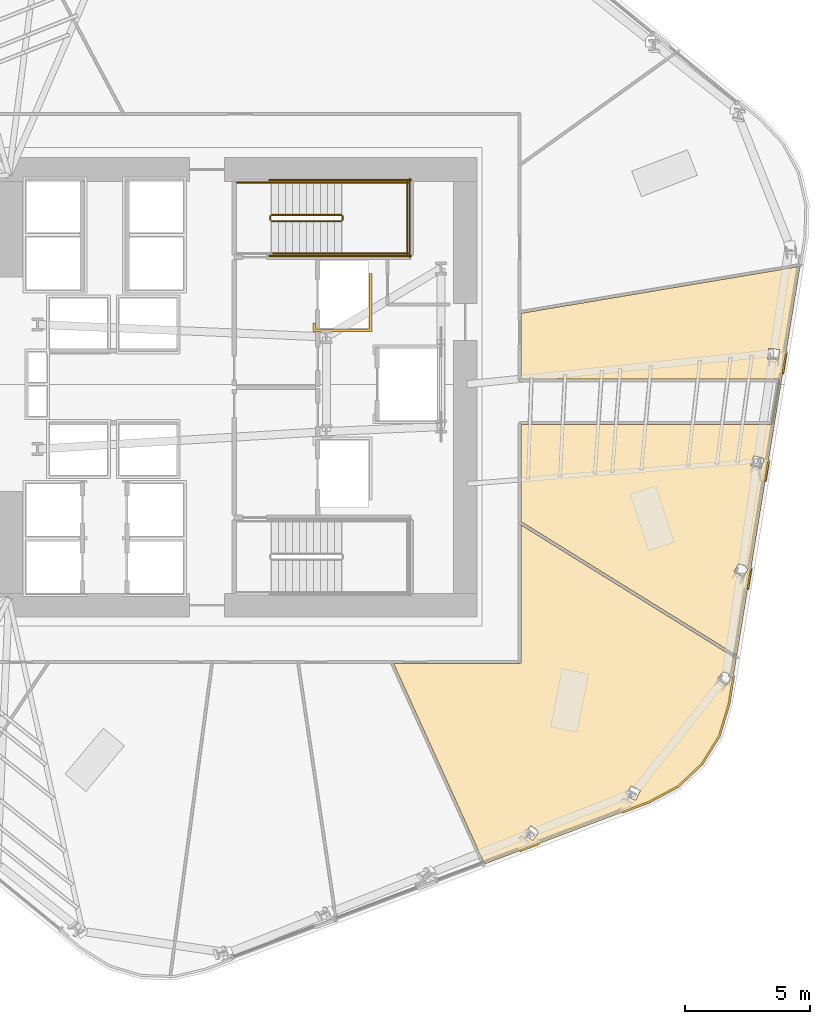
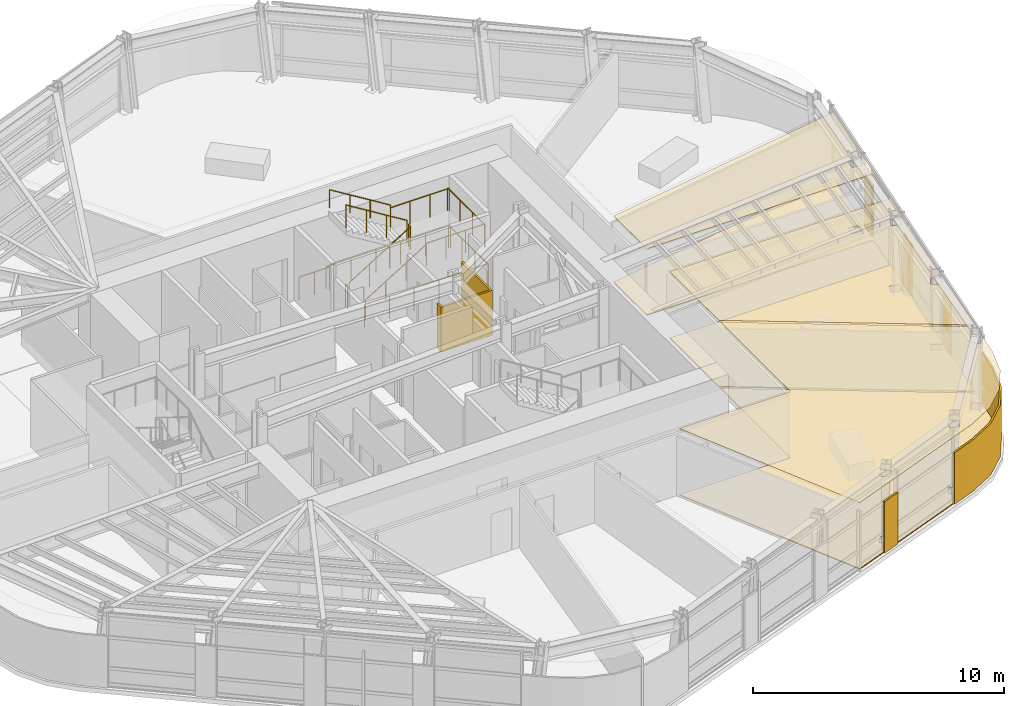
# One storey, part 16 of 18: 13 railings, 10 coverings.
"""IFC4 building model written with IfcOpenShell, lengths in metres."""

from ifc_helpers import new_model, si_unit, direction, frame, origin, origin_2d, place, context, subcontext, project, spatial, polyline, circle, outline, extrude, material, layer, layer_set, type_object, element, save


model = new_model("IFC4")

# Units and contexts
model_context = context("Model", 3, precision=1e-05, world=origin(), true_north=direction((0.0, 1.0)))
body_context = subcontext(model_context, "Body", "Model", "MODEL_VIEW")
ifc_project = project(units=[si_unit("LENGTHUNIT", "METRE"), si_unit("AREAUNIT", "SQUARE_METRE"), si_unit("VOLUMEUNIT", "CUBIC_METRE"), si_unit("PLANEANGLEUNIT", "RADIAN"), si_unit("MASSUNIT", "GRAM", prefix="KILO")], contexts=[model_context])

# Site, building, storey
site_placement = place(None, origin())
site = spatial("IfcSite", under=ifc_project, at=site_placement, CompositionType="ELEMENT")
building_placement = place(site_placement, origin())
building = spatial("IfcBuilding", under=site, at=building_placement, Name="Valkerne Bourse Tower", CompositionType="ELEMENT")
storey_placement = place(building_placement, frame((0.0, 0.0, 112.39990234375)))
storey = spatial("IfcBuildingStorey", under=building, at=storey_placement, Name="L28", CompositionType="ELEMENT", Elevation=112.39990234375)

# Coverings
ifc_material_1 = material(Name="Mineral Fiber Acoustic Ceiling Tile", Category="acoustic")
ifc_layer_1 = layer(ifc_material_1, 0.02490234375)
ifc_layer_set_1 = layer_set([ifc_layer_1], Name="Mineral Fiber Acoustic Ceiling Tile")
covering_type_1 = type_object("IfcCoveringType", Name="COV-CEIL-ACT", PredefinedType="CEILING", material=ifc_layer_set_1)
covering_1_placement = place(storey_placement, frame((0.0, 0.0, 3.22998046875)))
element("IfcCovering", 1, at=covering_1_placement, inside=storey, type_object=covering_type_1, Name="L28 Suspended Ceiling 07", PredefinedType="CEILING", context=body_context, shape_type="SweptSolid", body=[
    extrude(outline(polyline([(64.46728515625, 10.848876953125), (63.2958984375, 10.220947265625), (56.701904296875, 7.7373046875), (53.052978515625, 15.781005859375), (58.100341796875, 15.781005859375), (58.12890625, 15.787353515625), (58.151123046875, 15.803466796875), (58.1689453125, 15.84912109375), (58.1689453125, 21.345947265625), (66.8076171875, 15.983642578125), (66.508544921875, 14.14599609375), (66.12451171875, 12.873779296875), (65.42919921875, 11.752197265625), (64.46728515625, 10.848876953125)]), holes=[polyline([(58.63818359375, 8.683349609375), (58.893310546875, 9.030517578125), (58.558349609375, 9.2783203125), (58.5556640625, 9.276611328125), (58.300537109375, 8.929443359375), (58.635498046875, 8.681640625), (58.63818359375, 8.683349609375)]), polyline([(62.77197265625, 10.30078125), (62.957275390625, 10.689453125), (62.581787109375, 10.869873046875), (62.579345703125, 10.867431640625), (62.39404296875, 10.47900390625), (62.76953125, 10.298583984375), (62.77197265625, 10.30078125)]), polyline([(66.654052734375, 15.220947265625), (66.326416015625, 15.502685546875), (66.055419921875, 15.188232421875), (66.053466796875, 15.185302734375), (66.38134765625, 14.903564453125), (66.65234375, 15.218017578125), (66.654052734375, 15.220947265625)])]), origin(), (0.0, 0.0, 1.0), 0.025146484375),
])
covering_2_placement = place(storey_placement, frame((0.0, 0.0, 3.22998046875)))
element("IfcCovering", 2, at=covering_2_placement, inside=storey, type_object=covering_type_1, Name="L28 Suspended Ceiling 08", PredefinedType="CEILING", context=body_context, shape_type="SweptSolid", body=[
    extrude(outline(polyline([(58.1689453125, 25.381103515625), (68.220703125, 25.3818359375), (68.25732421875, 25.39990234375), (68.277587890625, 25.438232421875), (68.55517578125, 27.14990234375), (68.53662109375, 27.197509765625), (68.5146484375, 27.212890625), (68.486572265625, 27.218994140625), (58.1689453125, 27.218994140625), (58.1689453125, 29.85009765625), (69.369384765625, 31.732421875), (66.827880859375, 16.10986328125), (58.1689453125, 21.48486328125), (58.1689453125, 25.381103515625)]), holes=[polyline([(67.29541015625, 19.611328125), (66.920654296875, 19.826416015625), (66.71337890625, 19.466552734375), (66.71240234375, 19.463623046875), (67.087158203125, 19.24853515625), (67.29443359375, 19.6083984375), (67.29541015625, 19.611328125)]), polyline([(67.924560546875, 24.00341796875), (67.513916015625, 24.137939453125), (67.384033203125, 23.743408203125), (67.3837890625, 23.740234375), (67.79443359375, 23.60595703125), (67.924072265625, 24.00048828125), (67.924560546875, 24.00341796875)]), polyline([(68.54248046875, 28.38720703125), (68.542236328125, 28.39013671875), (68.11279296875, 28.438232421875), (68.066162109375, 28.025634765625), (68.06640625, 28.0224609375), (68.49560546875, 27.974609375), (68.54248046875, 28.38720703125)])]), origin(), (0.0, 0.0, 1.0), 0.025146484375),
])
ifc_material_2 = material(Name="Bronze Anodised Aluminium AA 6063-T6", Category="aluminium")
ifc_layer_2 = layer(ifc_material_2, 0.06005859375)
ifc_layer_set_2 = layer_set([ifc_layer_2], Name="Bronze Anodised Aluminium AA 6063-T6")
covering_type_2 = type_object("IfcCoveringType", Name="COV-CRN-ALUM", PredefinedType="CLADDING", material=ifc_layer_set_2)
covering_3_placement = place(storey_placement, origin())
element("IfcCovering", 3, at=covering_3_placement, inside=storey, type_object=covering_type_2, Name="L28 Wind-Shaped Corner Aluminium Cladding 01", PredefinedType="CLADDING", context=body_context, shape_type="SweptSolid", body=[
    extrude(outline(polyline([(66.1650390625, 12.85546875), (65.46337890625, 11.72412109375), (64.4931640625, 10.81298828125), (63.314208984375, 10.180908203125), (62.231689453125, 9.77294921875), (62.203369140625, 9.847900390625), (63.281005859375, 10.25390625), (64.446044921875, 10.87841796875), (65.40087890625, 11.775146484375), (66.09130859375, 12.888671875), (66.473388671875, 14.154052734375), (66.658447265625, 15.291015625), (66.7373046875, 15.278076171875), (66.551513671875, 14.135986328125), (66.1650390625, 12.85546875)])), origin(), (0.0, 0.0, 1.0), 2.5),
])
covering_4_placement = place(storey_placement, origin())
element("IfcCovering", 4, at=covering_4_placement, inside=storey, type_object=covering_type_2, Name="L28 Wind-Shaped Corner Aluminium Cladding 02", PredefinedType="CLADDING", context=body_context, shape_type="SweptSolid", body=[
    extrude(outline(polyline([(58.1298828125, 8.22802734375), (58.1015625, 8.302978515625), (58.8876953125, 8.59912109375), (58.916015625, 8.524169921875), (58.1298828125, 8.22802734375)])), origin(), (0.0, 0.0, 1.0), 2.5),
])
covering_5_placement = place(storey_placement, origin())
element("IfcCovering", 5, at=covering_5_placement, inside=storey, type_object=covering_type_2, Name="L28 Wind-Shaped Corner Aluminium Cladding 22", PredefinedType="CLADDING", context=body_context, shape_type="SweptSolid", body=[
    extrude(outline(polyline([(68.713623046875, 27.42724609375), (68.634521484375, 27.440185546875), (68.76953125, 28.269287109375), (68.848388671875, 28.25634765625), (68.713623046875, 27.42724609375)])), origin(), (0.0, 0.0, 1.0), 2.5),
])
covering_6_placement = place(storey_placement, origin())
element("IfcCovering", 6, at=covering_6_placement, inside=storey, type_object=covering_type_2, Name="L28 Wind-Shaped Corner Aluminium Cladding 23", PredefinedType="CLADDING", context=body_context, shape_type="SweptSolid", body=[
    extrude(outline(polyline([(68.010009765625, 23.10107421875), (67.930908203125, 23.114013671875), (68.06591796875, 23.943115234375), (68.144775390625, 23.93017578125), (68.010009765625, 23.10107421875)])), origin(), (0.0, 0.0, 1.0), 2.5),
])
covering_7_placement = place(storey_placement, origin())
element("IfcCovering", 7, at=covering_7_placement, inside=storey, type_object=covering_type_2, Name="L28 Wind-Shaped Corner Aluminium Cladding 24", PredefinedType="CLADDING", context=body_context, shape_type="SweptSolid", body=[
    extrude(outline(polyline([(67.30615234375, 18.775146484375), (67.227294921875, 18.7880859375), (67.362060546875, 19.6171875), (67.44091796875, 19.60400390625), (67.30615234375, 18.775146484375)])), origin(), (0.0, 0.0, 1.0), 2.5),
])
ifc_material_3 = material(Name="Galvanised Painted Steel", Category="steel")
ifc_layer_3 = layer(ifc_material_3, 0.044921875)
ifc_layer_set_3 = layer_set([ifc_layer_3], Name="Galvanised Painted Steel")
covering_type_3 = type_object("IfcCoveringType", Name="COV-FLR-RAF", PredefinedType="FLOORING", material=ifc_layer_set_3)
covering_8_placement = place(storey_placement, origin())
element("IfcCovering", 8, at=covering_8_placement, inside=storey, type_object=covering_type_3, Name="L28 Floor Finish 07", PredefinedType="FLOORING", context=body_context, shape_type="SweptSolid", body=[
    extrude(outline(polyline([(64.46728515625, 10.848876953125), (63.2958984375, 10.220947265625), (56.701904296875, 7.7373046875), (53.052978515625, 15.781005859375), (58.100341796875, 15.781005859375), (58.12890625, 15.787353515625), (58.151123046875, 15.803466796875), (58.1689453125, 15.84912109375), (58.1689453125, 21.345947265625), (66.8076171875, 15.983642578125), (66.508544921875, 14.14599609375), (66.12451171875, 12.873779296875), (65.42919921875, 11.752197265625), (64.46728515625, 10.848876953125)]), holes=[polyline([(58.63818359375, 8.683349609375), (58.893310546875, 9.030517578125), (58.558349609375, 9.2783203125), (58.5556640625, 9.276611328125), (58.300537109375, 8.929443359375), (58.635498046875, 8.681640625), (58.63818359375, 8.683349609375)]), polyline([(62.77197265625, 10.30078125), (62.957275390625, 10.689453125), (62.581787109375, 10.869873046875), (62.579345703125, 10.867431640625), (62.39404296875, 10.47900390625), (62.76953125, 10.298583984375), (62.77197265625, 10.30078125)]), polyline([(66.654052734375, 15.220947265625), (66.326416015625, 15.502685546875), (66.055419921875, 15.188232421875), (66.053466796875, 15.185302734375), (66.38134765625, 14.903564453125), (66.65234375, 15.218017578125), (66.654052734375, 15.220947265625)])]), origin(), (0.0, 0.0, 1.0), 0.045166015625),
])
covering_9_placement = place(storey_placement, origin())
element("IfcCovering", 9, at=covering_9_placement, inside=storey, type_object=covering_type_3, Name="L28 Floor Finish 08", PredefinedType="FLOORING", context=body_context, shape_type="SweptSolid", body=[
    extrude(outline(polyline([(58.1689453125, 25.381103515625), (68.220703125, 25.3818359375), (68.25732421875, 25.39990234375), (68.277587890625, 25.438232421875), (68.55517578125, 27.14990234375), (68.53662109375, 27.197509765625), (68.5146484375, 27.212890625), (68.486572265625, 27.218994140625), (58.1689453125, 27.218994140625), (58.1689453125, 29.85009765625), (69.369384765625, 31.732421875), (66.827880859375, 16.10986328125), (58.1689453125, 21.48486328125), (58.1689453125, 25.381103515625)]), holes=[polyline([(67.29541015625, 19.611328125), (66.920654296875, 19.826416015625), (66.71337890625, 19.466552734375), (66.71240234375, 19.463623046875), (67.087158203125, 19.24853515625), (67.29443359375, 19.6083984375), (67.29541015625, 19.611328125)]), polyline([(67.924560546875, 24.00341796875), (67.513916015625, 24.137939453125), (67.384033203125, 23.743408203125), (67.3837890625, 23.740234375), (67.79443359375, 23.60595703125), (67.924072265625, 24.00048828125), (67.924560546875, 24.00341796875)]), polyline([(68.54248046875, 28.38720703125), (68.542236328125, 28.39013671875), (68.11279296875, 28.438232421875), (68.066162109375, 28.025634765625), (68.06640625, 28.0224609375), (68.49560546875, 27.974609375), (68.54248046875, 28.38720703125)])]), origin(), (0.0, 0.0, 1.0), 0.045166015625),
])
ifc_material_4 = material(Name="Gypsum Shaftwall Liner Board", Category="gypsum")
ifc_layer_4 = layer(ifc_material_4, 0.080078125)
ifc_layer_set_4 = layer_set([ifc_layer_4], Name="Gypsum Shaftwall Liner Board")
covering_type_4 = type_object("IfcCoveringType", Name="COV-SHF-CLAD", PredefinedType="CLADDING", material=ifc_layer_set_4)
covering_10_placement = place(storey_placement, origin())
element("IfcCovering", 10, at=covering_10_placement, inside=storey, type_object=covering_type_4, Name="L28 Hoistway & Riser Shaftwall Liner 10", PredefinedType="CLADDING", context=body_context, shape_type="SweptSolid", body=[
    extrude(outline(polyline([(49.820068359375, 29.1201171875), (49.820068359375, 29.468017578125), (49.827880859375, 29.46435546875), (49.869384765625, 29.449462890625), (49.909912109375, 29.439208984375), (49.909912109375, 29.2099609375), (52.090087890625, 29.2099609375), (52.090087890625, 31.449951171875), (52.179931640625, 31.449951171875), (52.179931640625, 29.1201171875), (49.820068359375, 29.1201171875)])), origin(), (0.0, 0.0, 1.0), 2.18017578125),
])

# Railings
railing_type_1 = type_object("IfcRailingType", Name="RLG-ST-GUARD-1120", PredefinedType="GUARDRAIL", material=ifc_material_3)
railing_1_placement = place(storey_placement, frame((48.14990234375, 33.550048828125, 0.1728515625)))
element("IfcRailing", 11, at=railing_1_placement, inside=storey, type_object=railing_type_1, Name="L28 ST-2 stair guard 1", PredefinedType="GUARDRAIL", context=body_context, shape_type="SweptSolid", body=[
    extrude(circle(Radius=0.02392578125, at=origin_2d()), frame((0.0, 0.0, 1.09619140625), z_axis=(0.851089632645, 0.0, 0.525020415988), x_axis=(0.0, 1.0, 0.0)), (0.0, 0.0, 1.0), 3.2900390625),
    extrude(circle(Radius=0.02099609375, at=origin_2d()), origin(), (0.0, 0.0, 1.0), 1.072021484375),
    extrude(circle(Radius=0.02099609375, at=origin_2d()), frame((0.933349609375, 0.0, 0.57568359375)), (0.0, 0.0, 1.0), 1.072021484375),
    extrude(circle(Radius=0.02099609375, at=origin_2d()), frame((1.86669921875, 0.0, 1.151611328125)), (0.0, 0.0, 1.0), 1.072021484375),
    extrude(circle(Radius=0.02099609375, at=origin_2d()), frame((2.800048828125, 0.0, 1.727294921875)), (0.0, 0.0, 1.0), 1.072021484375),
])
railing_2_placement = place(storey_placement, frame((51.0, 33.60009765625, 1.900146484375)))
element("IfcRailing", 12, at=railing_2_placement, inside=storey, type_object=railing_type_1, Name="L28 ST-2 stair guard 2", PredefinedType="GUARDRAIL", context=body_context, shape_type="SweptSolid", body=[
    extrude(circle(Radius=0.02392578125, at=origin_2d()), frame((0.0, 0.0, 1.09619140625), z_axis=(0.0, 1.0, 0.0), x_axis=(-1.0, 0.0, 0.0)), (0.0, 0.0, 1.0), 0.14990234375),
    extrude(circle(Radius=0.02099609375, at=origin_2d()), origin(), (0.0, 0.0, 1.0), 1.072021484375),
    extrude(circle(Radius=0.02099609375, at=origin_2d()), frame((0.0, 0.14990234375, 0.0)), (0.0, 0.0, 1.0), 1.072021484375),
])
for number, where, name in (
    (13, (50.949951171875, 32.25, 1.900146484375), "L28 ST-2 stair guard 3"),
    (14, (50.949951171875, 35.10009765625, 1.900146484375), "L28 ST-2 stair guard 4"),
):
    element("IfcRailing", number, at=place(storey_placement, frame(where)), inside=storey, type_object=railing_type_1, Name=name, PredefinedType="GUARDRAIL", context=body_context, shape_type="SweptSolid", body=[
        extrude(circle(Radius=0.02392578125, at=origin_2d()), frame((0.0, 0.0, 1.09619140625), z_axis=(1.0, 0.0, 0.0), x_axis=(0.0, 1.0, 0.0)), (0.0, 0.0, 1.0), 2.699951171875),
        extrude(circle(Radius=0.02099609375, at=origin_2d()), origin(), (0.0, 0.0, 1.0), 1.072021484375),
        extrude(circle(Radius=0.02099609375, at=origin_2d()), frame((0.89990234375, 0.0, 0.0)), (0.0, 0.0, 1.0), 1.072021484375),
        extrude(circle(Radius=0.02099609375, at=origin_2d()), frame((1.800048828125, 0.0, 0.0)), (0.0, 0.0, 1.0), 1.072021484375),
        extrude(circle(Radius=0.02099609375, at=origin_2d()), frame((2.699951171875, 0.0, 0.0)), (0.0, 0.0, 1.0), 1.072021484375),
    ])
railing_3_placement = place(storey_placement, frame((53.60009765625, 32.199951171875, 1.900146484375)))
element("IfcRailing", 15, at=railing_3_placement, inside=storey, type_object=railing_type_1, Name="L28 ST-2 stair guard 5", PredefinedType="GUARDRAIL", context=body_context, shape_type="SweptSolid", body=[
    extrude(circle(Radius=0.02392578125, at=origin_2d()), frame((0.0, 0.0, 1.09619140625), z_axis=(0.0, 1.0, 0.0), x_axis=(-1.0, 0.0, 0.0)), (0.0, 0.0, 1.0), 2.949951171875),
    extrude(circle(Radius=0.02099609375, at=origin_2d()), origin(), (0.0, 0.0, 1.0), 1.072021484375),
    extrude(circle(Radius=0.02099609375, at=origin_2d()), frame((0.0, 0.9833984375, 0.0)), (0.0, 0.0, 1.0), 1.072021484375),
    extrude(circle(Radius=0.02099609375, at=origin_2d()), frame((0.0, 1.966552734375, 0.0)), (0.0, 0.0, 1.0), 1.072021484375),
    extrude(circle(Radius=0.02099609375, at=origin_2d()), frame((0.0, 2.949951171875, 0.0)), (0.0, 0.0, 1.0), 1.072021484375),
])
railing_4_placement = place(storey_placement, frame((50.949951171875, 33.800048828125, 2.07275390625)))
element("IfcRailing", 16, at=railing_4_placement, inside=storey, type_object=railing_type_1, Name="L28 ST-2 stair guard 6", PredefinedType="GUARDRAIL", context=body_context, shape_type="SweptSolid", body=[
    extrude(circle(Radius=0.02392578125, at=origin_2d()), frame((0.0, 0.0, 1.09619140625), z_axis=(-0.851089632645, 0.0, 0.525020415988), x_axis=(0.0, -1.0, 0.0)), (0.0, 0.0, 1.0), 3.2900390625),
    extrude(circle(Radius=0.02099609375, at=origin_2d()), origin(), (0.0, 0.0, 1.0), 1.072021484375),
    extrude(circle(Radius=0.02099609375, at=origin_2d()), frame((-0.933349609375, 0.0, 0.57568359375)), (0.0, 0.0, 1.0), 1.072021484375),
    extrude(circle(Radius=0.02099609375, at=origin_2d()), frame((-1.86669921875, 0.0, 1.151611328125)), (0.0, 0.0, 1.0), 1.072021484375),
    extrude(circle(Radius=0.02099609375, at=origin_2d()), frame((-2.800048828125, 0.0, 1.727294921875)), (0.0, 0.0, 1.0), 1.072021484375),
])
railing_5_placement = place(storey_placement, frame((48.10009765625, 33.60009765625, 0.0)))
element("IfcRailing", 17, at=railing_5_placement, inside=storey, type_object=railing_type_1, Name="L28 ST-2 stair guard 7", PredefinedType="GUARDRAIL", context=body_context, shape_type="SweptSolid", body=[
    extrude(circle(Radius=0.02392578125, at=origin_2d()), frame((0.0, 0.0, 1.09619140625), z_axis=(0.0, 1.0, 0.0), x_axis=(-1.0, 0.0, 0.0)), (0.0, 0.0, 1.0), 0.14990234375),
    extrude(circle(Radius=0.02099609375, at=origin_2d()), origin(), (0.0, 0.0, 1.0), 1.072021484375),
    extrude(circle(Radius=0.02099609375, at=origin_2d()), frame((0.0, 0.14990234375, 0.0)), (0.0, 0.0, 1.0), 1.072021484375),
])
railing_6_placement = place(storey_placement, frame((46.75, 35.10009765625, 0.0)))
element("IfcRailing", 18, at=railing_6_placement, inside=storey, type_object=railing_type_1, Name="L28 ST-2 stair guard 9", PredefinedType="GUARDRAIL", context=body_context, shape_type="SweptSolid", body=[
    extrude(circle(Radius=0.02392578125, at=origin_2d()), frame((0.0, 0.0, 1.09619140625), z_axis=(1.0, 0.0, 0.0), x_axis=(0.0, 1.0, 0.0)), (0.0, 0.0, 1.0), 1.39990234375),
    extrude(circle(Radius=0.02099609375, at=origin_2d()), origin(), (0.0, 0.0, 1.0), 1.072021484375),
    extrude(circle(Radius=0.02099609375, at=origin_2d()), frame((0.699951171875, 0.0, 0.0)), (0.0, 0.0, 1.0), 1.072021484375),
    extrude(circle(Radius=0.02099609375, at=origin_2d()), frame((1.39990234375, 0.0, 0.0)), (0.0, 0.0, 1.0), 1.072021484375),
])
for number, where, name in (
    (19, (48.050048828125, 32.14990234375, 0.0), "L28 ST-2 stair guard 10"),
    (20, (48.050048828125, 35.199951171875, 0.0), "L28 ST-2 stair guard 11"),
):
    element("IfcRailing", number, at=place(storey_placement, frame(where)), inside=storey, type_object=railing_type_1, Name=name, PredefinedType="GUARDRAIL", context=body_context, shape_type="SweptSolid", body=[
        extrude(circle(Radius=0.02392578125, at=origin_2d()), frame((0.0, 0.0, 1.09619140625), z_axis=(1.0, 0.0, 0.0), x_axis=(0.0, 1.0, 0.0)), (0.0, 0.0, 1.0), 5.699951171875),
        extrude(circle(Radius=0.02099609375, at=origin_2d()), origin(), (0.0, 0.0, 1.0), 1.072021484375),
        extrude(circle(Radius=0.02099609375, at=origin_2d()), frame((1.139892578125, 0.0, 0.0)), (0.0, 0.0, 1.0), 1.072021484375),
        extrude(circle(Radius=0.02099609375, at=origin_2d()), frame((2.280029296875, 0.0, 0.0)), (0.0, 0.0, 1.0), 1.072021484375),
        extrude(circle(Radius=0.02099609375, at=origin_2d()), frame((3.419921875, 0.0, 0.0)), (0.0, 0.0, 1.0), 1.072021484375),
        extrude(circle(Radius=0.02099609375, at=origin_2d()), frame((4.56005859375, 0.0, 0.0)), (0.0, 0.0, 1.0), 1.072021484375),
        extrude(circle(Radius=0.02099609375, at=origin_2d()), frame((5.699951171875, 0.0, 0.0)), (0.0, 0.0, 1.0), 1.072021484375),
    ])
railing_7_placement = place(storey_placement, frame((53.699951171875, 32.10009765625, 0.0)))
element("IfcRailing", 21, at=railing_7_placement, inside=storey, type_object=railing_type_1, Name="L28 ST-2 stair guard 12", PredefinedType="GUARDRAIL", context=body_context, shape_type="SweptSolid", body=[
    extrude(circle(Radius=0.02392578125, at=origin_2d()), frame((0.0, 0.0, 1.09619140625), z_axis=(0.0, 1.0, 0.0), x_axis=(-1.0, 0.0, 0.0)), (0.0, 0.0, 1.0), 3.14990234375),
    extrude(circle(Radius=0.02099609375, at=origin_2d()), origin(), (0.0, 0.0, 1.0), 1.072021484375),
    extrude(circle(Radius=0.02099609375, at=origin_2d()), frame((0.0, 1.050048828125, 0.0)), (0.0, 0.0, 1.0), 1.072021484375),
    extrude(circle(Radius=0.02099609375, at=origin_2d()), frame((0.0, 2.099853515625, 0.0)), (0.0, 0.0, 1.0), 1.072021484375),
    extrude(circle(Radius=0.02099609375, at=origin_2d()), frame((0.0, 3.14990234375, 0.0)), (0.0, 0.0, 1.0), 1.072021484375),
])
ifc_material_5 = material(Name="Stainless Steel AISI 316", Category="steel")
railing_type_2 = type_object("IfcRailingType", Name="RLG-ST-HANDRAIL-900", PredefinedType="HANDRAIL", material=ifc_material_5)
railing_8_placement = place(storey_placement, frame((48.14990234375, 32.25, 0.345458984375)))
element("IfcRailing", 22, at=railing_8_placement, inside=storey, type_object=railing_type_2, Name="L28 ST-2 stair handrail 1", PredefinedType="HANDRAIL", context=body_context, shape_type="SweptSolid", body=[
    extrude(circle(Radius=0.02392578125, at=origin_2d()), frame((0.0, 0.0, 0.8759765625), z_axis=(0.851089632645, 0.0, 0.525020415988), x_axis=(0.0, 1.0, 0.0)), (0.0, 0.0, 1.0), 3.2900390625),
    extrude(circle(Radius=0.02099609375, at=origin_2d()), origin(), (0.0, 0.0, 1.0), 0.851806640625),
    extrude(circle(Radius=0.02099609375, at=origin_2d()), frame((0.933349609375, 0.0, 0.57568359375)), (0.0, 0.0, 1.0), 0.851806640625),
    extrude(circle(Radius=0.02099609375, at=origin_2d()), frame((1.86669921875, 0.0, 1.151611328125)), (0.0, 0.0, 1.0), 0.851806640625),
    extrude(circle(Radius=0.02099609375, at=origin_2d()), frame((2.800048828125, 0.0, 1.727294921875)), (0.0, 0.0, 1.0), 0.851806640625),
])
railing_9_placement = place(storey_placement, frame((50.949951171875, 35.10009765625, 2.24560546875)))
element("IfcRailing", 23, at=railing_9_placement, inside=storey, type_object=railing_type_2, Name="L28 ST-2 stair handrail 2", PredefinedType="HANDRAIL", context=body_context, shape_type="SweptSolid", body=[
    extrude(circle(Radius=0.02392578125, at=origin_2d()), frame((0.0, 0.0, 0.8759765625), z_axis=(-0.851089632645, 0.0, 0.525020415988), x_axis=(0.0, -1.0, 0.0)), (0.0, 0.0, 1.0), 3.2900390625),
    extrude(circle(Radius=0.02099609375, at=origin_2d()), origin(), (0.0, 0.0, 1.0), 0.851806640625),
    extrude(circle(Radius=0.02099609375, at=origin_2d()), frame((-0.933349609375, 0.0, 0.57568359375)), (0.0, 0.0, 1.0), 0.851806640625),
    extrude(circle(Radius=0.02099609375, at=origin_2d()), frame((-1.86669921875, 0.0, 1.151611328125)), (0.0, 0.0, 1.0), 0.851806640625),
    extrude(circle(Radius=0.02099609375, at=origin_2d()), frame((-2.800048828125, 0.0, 1.727294921875)), (0.0, 0.0, 1.0), 0.851806640625),
])

save(model, "model.ifc")
